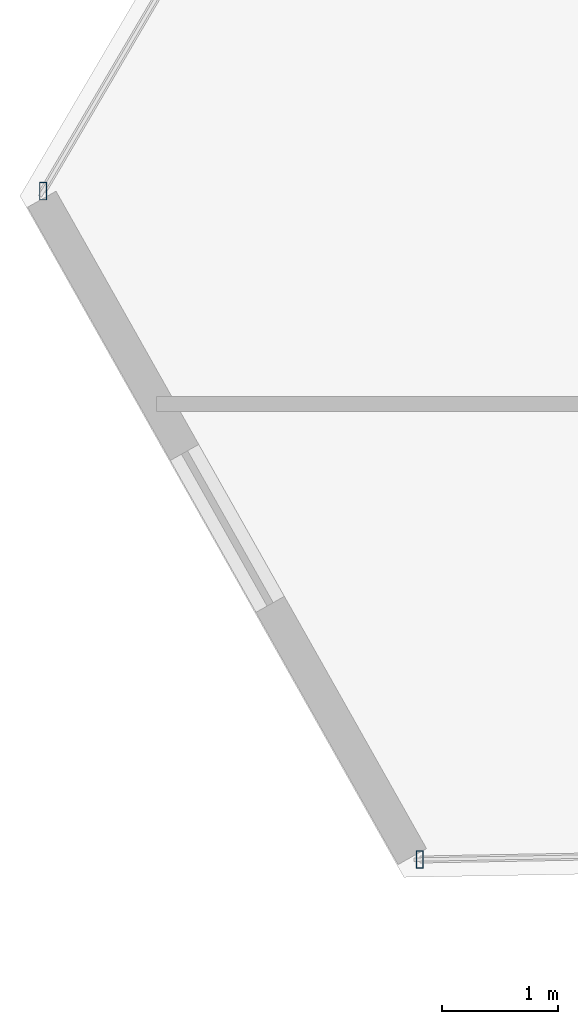
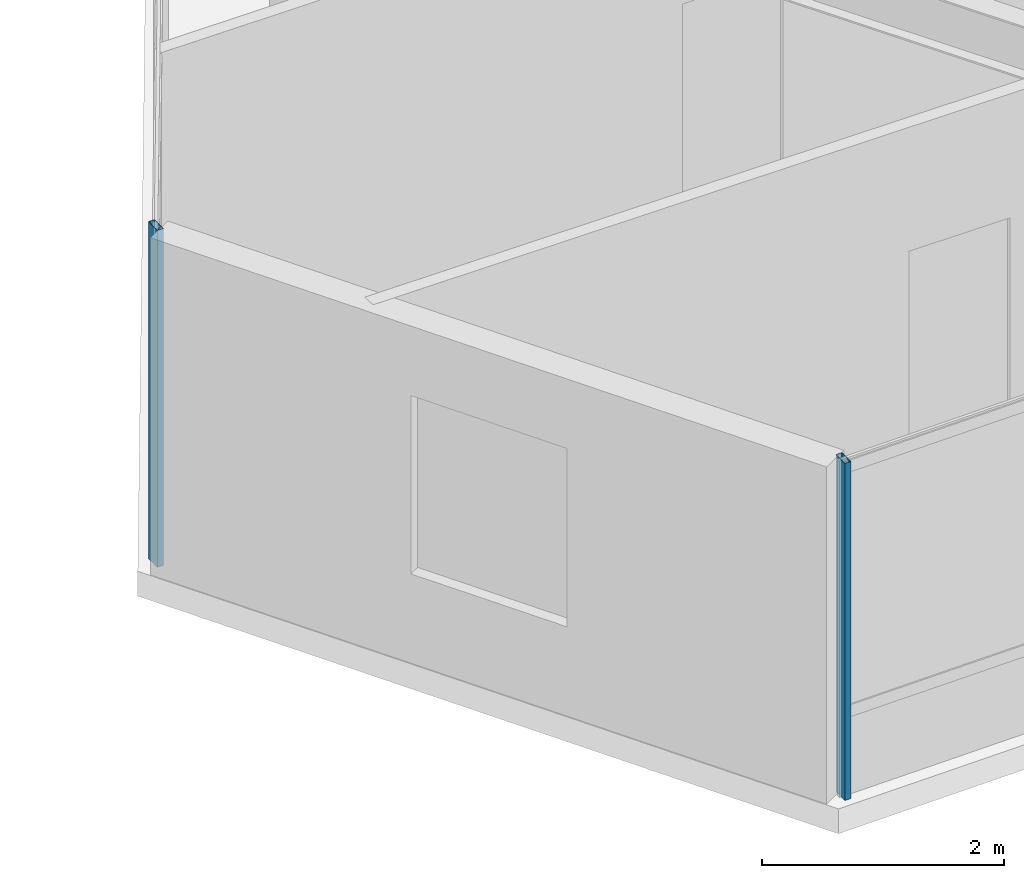
# One storey, part 3 of 44: 2 members, 2 elements without a shape of their own.
"""IFC4 building model written with IfcOpenShell, lengths in metres."""

import ifcopenshell
import ifcopenshell.guid

model = None  # the IFC model being written
_history = None  # IfcOwnerHistory: only IFC2X3 demands one
_inside = {}  # id of a spatial element -> (the spatial element, [elements in it])
_under = {}  # id of a project, library or spatial element -> (it, [spatial elements below it])
_declared = {}  # id of a project -> (the project, [libraries it declares])
_typed = {}  # id of a type object -> (the type object, [elements of that type])
_made_of = {}  # id of a material, layer set ... -> (it, [elements and type objects made of it])


def new_model(schema):
    """Start an empty IFC model of exactly this schema.

    Asked for "IFC4X3", IfcOpenShell would pick the latest addendum, in which some entities
    have other attributes; the version numbers below select the first issue.
    IFC2X3 requires an IfcOwnerHistory on every rooted entity: one is made here for all.
    """
    global model, _history
    if schema == "IFC4X3":
        model = ifcopenshell.file(schema_version=(4, 3, 0, 0))
    else:
        model = ifcopenshell.file(schema=schema)
    _inside.clear()
    _under.clear()
    _declared.clear()
    _typed.clear()
    _made_of.clear()
    _history = None
    if model.schema == "IFC2X3":
        org = make("IfcOrganization", Name="unknown")
        user = make(
            "IfcPersonAndOrganization",
            ThePerson=make("IfcPerson", FamilyName="unknown"),
            TheOrganization=org,
        )
        app = make(
            "IfcApplication",
            ApplicationDeveloper=org,
            Version="unknown",
            ApplicationFullName="unknown",
            ApplicationIdentifier="unknown",
        )
        _history = make(
            "IfcOwnerHistory",
            OwningUser=user,
            OwningApplication=app,
            ChangeAction="ADDED",
            CreationDate=0,
        )
    return model


def make(cls, **values):
    """One entity of the class cls with the attributes given. An attribute that is None is left unset."""
    return model.create_entity(
        cls, **{name: value for name, value in values.items() if value is not None}
    )


def rooted(cls, **values):
    """An entity with a GlobalId (a new one), such as an element, a storey or a relation."""
    return make(cls, GlobalId=ifcopenshell.guid.new(), OwnerHistory=_history, **values)


def si_unit(unit_type, name, prefix=None):
    """IfcSIUnit, for example si_unit("LENGTHUNIT", "METRE", prefix="MILLI")."""
    return make("IfcSIUnit", UnitType=unit_type, Prefix=prefix, Name=name)


def assignment(units):
    """IfcUnitAssignment: the units of a project."""
    return None if units is None else make("IfcUnitAssignment", Units=units)


def point(xyz):
    """IfcCartesianPoint."""
    return None if xyz is None else make("IfcCartesianPoint", Coordinates=xyz)


def direction(xyz):
    """IfcDirection."""
    return None if xyz is None else make("IfcDirection", DirectionRatios=xyz)


def frame(location, z_axis=None, x_axis=None):
    """IfcAxis2Placement3D, a coordinate frame: its origin and axes. An axis left out is left unset."""
    return make(
        "IfcAxis2Placement3D",
        Location=point(location),
        Axis=direction(z_axis),
        RefDirection=direction(x_axis),
    )


def frame_2d(location, x_axis=None):
    """IfcAxis2Placement2D, a coordinate frame in the plane: its origin and x axis."""
    return make(
        "IfcAxis2Placement2D", Location=point(location), RefDirection=direction(x_axis)
    )


def origin():
    """The frame at (0, 0, 0) with its axes left unset."""
    return frame((0.0, 0.0, 0.0))


def origin_2d():
    """The frame at (0, 0) in the plane with its x axis left unset."""
    return frame_2d((0.0, 0.0))


def place(relative_to, where):
    """IfcLocalPlacement: puts the frame where relative to a parent placement (None: the world)."""
    return make(
        "IfcLocalPlacement", PlacementRelTo=relative_to, RelativePlacement=where
    )


def context(
    kind, dimensions, precision=None, world=None, true_north=None, identifier=None
):
    """IfcGeometricRepresentationContext, for example the 3D "Model" context."""
    return make(
        "IfcGeometricRepresentationContext",
        ContextIdentifier=identifier,
        ContextType=kind,
        CoordinateSpaceDimension=dimensions,
        Precision=precision,
        WorldCoordinateSystem=world,
        TrueNorth=true_north,
    )


def subcontext(parent, identifier, kind, view, scale=None):
    """IfcGeometricRepresentationSubContext, for example "Body" below "Model"."""
    return make(
        "IfcGeometricRepresentationSubContext",
        ContextIdentifier=identifier,
        ContextType=kind,
        ParentContext=parent,
        TargetScale=scale,
        TargetView=view,
    )


def project(units=None, contexts=None):
    """IfcProject with its units and contexts."""
    return rooted(
        "IfcProject",
        Name="project",
        RepresentationContexts=contexts,
        UnitsInContext=assignment(units),
    )


def spatial(cls, under=None, at=None, **own):
    """A site, building, storey or space (cls), placed at a placement, below another one or the project."""
    s = rooted(cls, ObjectPlacement=at, **own)
    if under is not None:
        _under.setdefault(under.id(), (under, []))[1].append(s)
    return s


def profile(cls, at=None, kind="AREA", **sizes):
    """A parametric profile (cls). Its sizes go by their IFC names, for example OverallWidth=200.0."""
    return make(cls, ProfileType=kind, Position=at, **sizes)


def hollow_rectangle(**sizes):
    """IfcRectangleHollowProfileDef."""
    return profile("IfcRectangleHollowProfileDef", **sizes)


def extrude(swept, where, along, depth):
    """IfcExtrudedAreaSolid: the profile swept, set in the frame where, extruded along a direction by depth."""
    return make(
        "IfcExtrudedAreaSolid",
        SweptArea=swept,
        Position=where,
        ExtrudedDirection=direction(along),
        Depth=depth,
    )


def shape(context_of_items, identifier, shape_type, items):
    """IfcShapeRepresentation: the items that make up one representation, for example the "Body"."""
    return make(
        "IfcShapeRepresentation",
        ContextOfItems=context_of_items,
        RepresentationIdentifier=identifier,
        RepresentationType=shape_type,
        Items=items,
    )


def source(mapping_origin, context_of_items, identifier, shape_type, items):
    """IfcRepresentationMap: a shape defined once, which mapped items show again and again."""
    return make(
        "IfcRepresentationMap",
        MappingOrigin=mapping_origin,
        MappedRepresentation=shape(context_of_items, identifier, shape_type, items),
    )


def transform(
    local_origin,
    x_axis=None,
    y_axis=None,
    z_axis=None,
    scale=None,
    scale2=None,
    scale3=None,
    uniform=True,
):
    """IfcCartesianTransformationOperator3D, or its non-uniform kind. x_axis, y_axis, z_axis: its Axis1, 2, 3."""
    if uniform:
        return make(
            "IfcCartesianTransformationOperator3D",
            Axis1=direction(x_axis),
            Axis2=direction(y_axis),
            LocalOrigin=point(local_origin),
            Scale=scale,
            Axis3=direction(z_axis),
        )
    return make(
        "IfcCartesianTransformationOperator3DnonUniform",
        Axis1=direction(x_axis),
        Axis2=direction(y_axis),
        LocalOrigin=point(local_origin),
        Scale=scale,
        Axis3=direction(z_axis),
        Scale2=scale2,
        Scale3=scale3,
    )


def mapped(mapping_source, mapping_target):
    """IfcMappedItem: shows the shape of a source again, moved by a transform."""
    return make(
        "IfcMappedItem", MappingSource=mapping_source, MappingTarget=mapping_target
    )


def material(Name=None, Category=None):
    """IfcMaterial."""
    return make("IfcMaterial", Name=Name, Category=Category)


def material_profile(
    of_material, cross_section, Name=None, Category=None, Priority=None
):
    """IfcMaterialProfile: a cross section and its material."""
    return make(
        "IfcMaterialProfile",
        Name=Name,
        Material=of_material,
        Profile=cross_section,
        Priority=Priority,
        Category=Category,
    )


def profile_set(profiles, Name=None, composite=None):
    """IfcMaterialProfileSet."""
    return make(
        "IfcMaterialProfileSet",
        Name=Name,
        MaterialProfiles=profiles,
        CompositeProfile=composite,
    )


def made_of(thing, what):
    """Note that an element or type object is made of a material, layer set ...; save() writes the relation."""
    if what is not None:
        _made_of.setdefault(what.id(), (what, []))[1].append(thing)
    return thing


def type_object(cls, material=None, **own):
    """A type object (cls), such as IfcWallType, which elements share."""
    return made_of(rooted(cls, **own), material)


def type_shapes(of_type, sources):
    """Give a type object the sources (RepresentationMaps) that its elements show as mapped items."""
    of_type.RepresentationMaps = sources


def element(
    cls,
    number,
    at=None,
    inside=None,
    cuts=None,
    type_object=None,
    material=None,
    context=None,
    identifier="Body",
    shape_type=None,
    held_by="IfcProductDefinitionShape",
    body=None,
    shapes=None,
    **own,
):
    """One element of the class cls, such as IfcWall. Its Tag is "e" and its number.

    at: its placement. inside: the storey or other place that contains it. cuts: it is an
    opening in that element (IfcRelVoidsElement). A single representation is given by context,
    identifier, shape_type and body (its items); several are given by shapes. held_by: the class
    of the entity that holds the representations. save() writes the other relations.
    """
    e = rooted(cls, Tag="e%d" % number, ObjectPlacement=at, **own)
    if body is not None:
        shapes = [shape(context, identifier, shape_type, body)]
    if shapes is not None:
        e.Representation = make(held_by, Representations=shapes)
    if inside is not None:
        _inside.setdefault(inside.id(), (inside, []))[1].append(e)
    if cuts is not None:
        rooted(
            "IfcRelVoidsElement", RelatingBuildingElement=cuts, RelatedOpeningElement=e
        )
    if type_object is not None:
        _typed.setdefault(type_object.id(), (type_object, []))[1].append(e)
    return made_of(e, material)


def aggregate(whole, parts):
    """IfcRelAggregates: a whole, such as a stair, and the parts it consists of."""
    return rooted("IfcRelAggregates", RelatingObject=whole, RelatedObjects=parts)


def save(model, path):
    """Write the relations noted so far, then the file.

    IfcRelAggregates (storeys below a building ...), IfcRelContainedInSpatialStructure (elements
    in a storey), IfcRelDefinesByType, IfcRelAssociatesMaterial and IfcRelDeclares: one each for
    every whole, place, type object, material and project.
    """
    for whole, parts in _under.values():
        aggregate(whole, parts)
    for where, things in _inside.values():
        rooted(
            "IfcRelContainedInSpatialStructure",
            RelatedElements=things,
            RelatingStructure=where,
        )
    for kind, things in _typed.values():
        rooted("IfcRelDefinesByType", RelatedObjects=things, RelatingType=kind)
    for what, things in _made_of.values():
        rooted("IfcRelAssociatesMaterial", RelatedObjects=things, RelatingMaterial=what)
    for by, libraries in _declared.values():
        rooted("IfcRelDeclares", RelatingContext=by, RelatedDefinitions=libraries)
    model.write(path)


model = new_model("IFC4")

# Units and contexts
model_context = context("Model", 3, precision=1e-05, world=origin(), true_north=direction((0.0, 1.0)))
body_context = subcontext(model_context, "Body", "Model", "MODEL_VIEW")
ifc_project = project(units=[si_unit("LENGTHUNIT", "METRE"), si_unit("AREAUNIT", "SQUARE_METRE"), si_unit("VOLUMEUNIT", "CUBIC_METRE"), si_unit("PLANEANGLEUNIT", "RADIAN"), si_unit("MASSUNIT", "GRAM", prefix="KILO")], contexts=[model_context])

# Site, building, storey
site_placement = place(None, origin())
site = spatial("IfcSite", under=ifc_project, at=site_placement, CompositionType="ELEMENT")
building_placement = place(site_placement, origin())
building = spatial("IfcBuilding", under=site, at=building_placement, Name="Caelisora Broadcast Tower", CompositionType="ELEMENT")
storey_placement = place(building_placement, frame((0.0, 0.0, 198.64990234375)))
storey = spatial("IfcBuildingStorey", under=building, at=storey_placement, Name="L52", CompositionType="ELEMENT", Elevation=198.64990234375)

# Curtain wall, member
ifc_material_1 = material(Name="Unitised Aluminium and Low-E Glass Curtain Wall", Category="glass")
curtain_wall_type = type_object("IfcCurtainWallType", Name="CW-Z4", PredefinedType="NOTDEFINED", material=ifc_material_1)
curtain_wall_1_placement = place(storey_placement, origin())
curtain_wall_1 = element("IfcCurtainWall", 1, at=curtain_wall_1_placement, inside=storey, type_object=curtain_wall_type, Name="L52 curtain wall CW-Z4", PredefinedType="NOTDEFINED")
ifc_material_2 = material(Name="Aluminium 6063-T6 Anodised Terracotta Bronze", Category="aluminium")
ifc_material_profile = material_profile(ifc_material_2, hollow_rectangle(XDim=0.06005859375, YDim=0.14990234375, WallThickness=0.00341796875, at=origin_2d()), Name="Aluminium 6063-T6 Anodised Terracotta Bronze")
ifc_profile_set = profile_set([ifc_material_profile], Name="Aluminium 6063-T6 Anodised Terracotta Bronze")
member_type = type_object("IfcMemberType", Name="CWM-03", PredefinedType="MULLION", material=ifc_profile_set)
shared_shape = source(origin(), body_context, "Body", "SweptSolid", [
    extrude(hollow_rectangle(XDim=0.06005859375, YDim=0.14990234375, WallThickness=0.00341796875, at=origin_2d()), origin(), (0.0, 0.0, 1.0), 3.400146484375),
])
type_shapes(member_type, [shared_shape])
member_1_placement = place(storey_placement, frame((14.669921875, 6.791015625, 0.0), z_axis=(0.0, 0.0, 1.0), x_axis=(1.0, 0.0, 0.0)))
member_1 = element("IfcMember", 2, at=member_1_placement, type_object=member_type, Name="L52-CW-B07 mullion #3", PredefinedType="MULLION", context=body_context, shape_type="MappedRepresentation", body=[
    mapped(shared_shape, transform((0.0, 0.0, 0.0), scale=1.0)),
])
aggregate(curtain_wall_1, [member_1])

curtain_wall_2_placement = place(storey_placement, origin())
curtain_wall_2 = element("IfcCurtainWall", 3, at=curtain_wall_2_placement, inside=storey, type_object=curtain_wall_type, Name="L52 curtain wall CW-Z4", PredefinedType="NOTDEFINED")
member_2_placement = place(storey_placement, frame((11.42919921875, 12.5390625, 0.0), z_axis=(0.0, 0.0, 1.0), x_axis=(1.0, 0.0, 0.0)))
member_2 = element("IfcMember", 4, at=member_2_placement, type_object=member_type, Name="L52-CW-B09 mullion #0", PredefinedType="MULLION", context=body_context, shape_type="MappedRepresentation", body=[
    mapped(shared_shape, transform((0.0, 0.0, 0.0), scale=1.0)),
])
aggregate(curtain_wall_2, [member_2])

save(model, "model.ifc")
